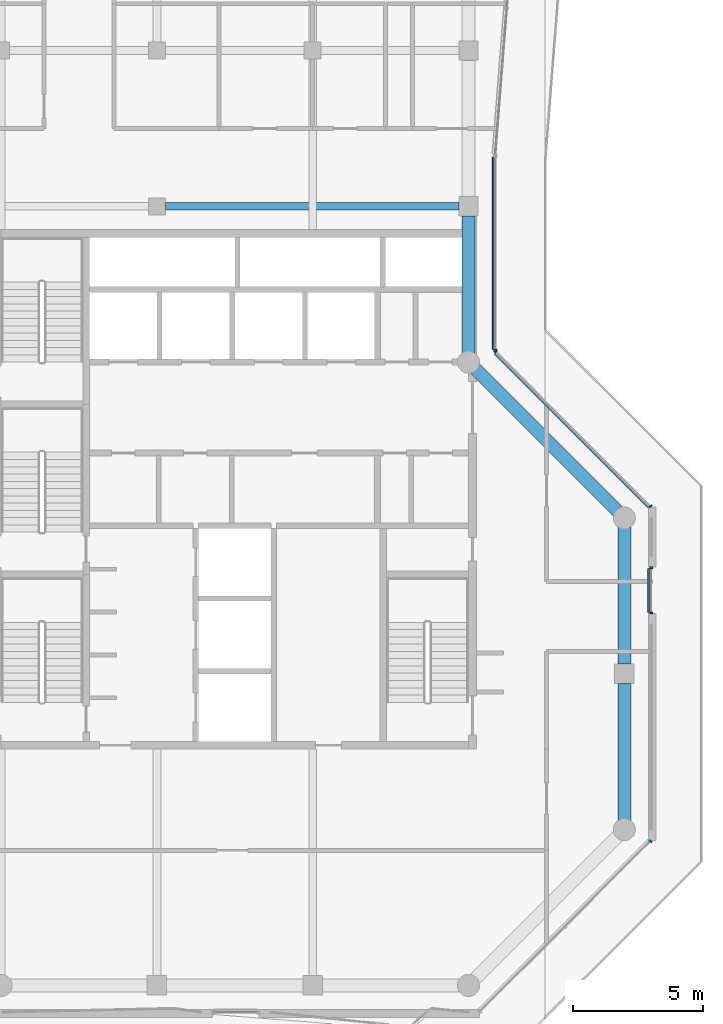
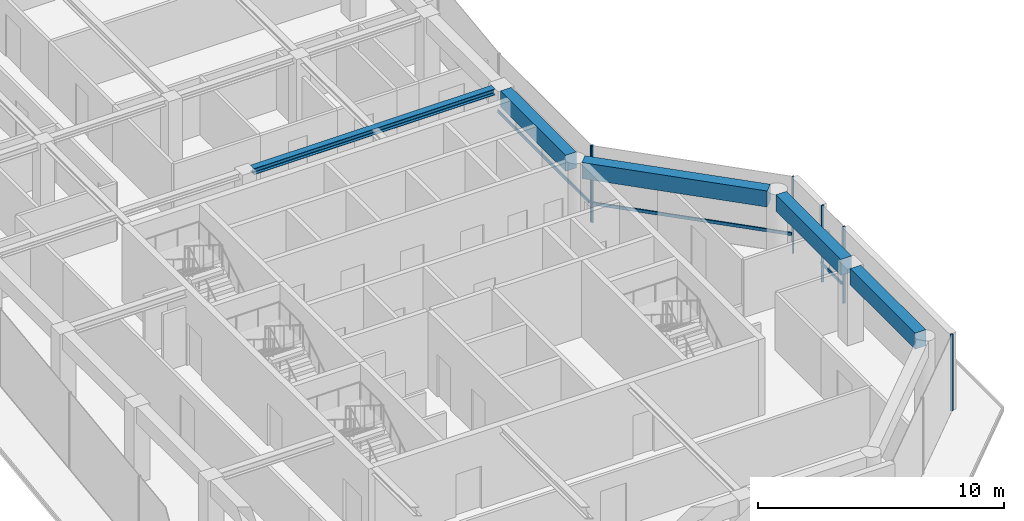
# One storey, part 5 of 22: 9 members, 5 beams, 4 elements without a shape of their own.
"""IFC4 building model written with IfcOpenShell, lengths in metres."""

from ifc_helpers import new_model, si_unit, direction, frame, origin, origin_2d, place, context, subcontext, project, spatial, rectangle, i_section, extrude, material, layer, layer_set, material_profile, profile_set, type_object, element, aggregate, save


model = new_model("IFC4")

# Units and contexts
model_context = context("Model", 3, precision=1e-05, world=origin(), true_north=direction((0.0, 1.0)))
body_context = subcontext(model_context, "Body", "Model", "MODEL_VIEW")
ifc_project = project(units=[si_unit("LENGTHUNIT", "METRE"), si_unit("AREAUNIT", "SQUARE_METRE"), si_unit("VOLUMEUNIT", "CUBIC_METRE"), si_unit("PLANEANGLEUNIT", "RADIAN"), si_unit("MASSUNIT", "GRAM", prefix="KILO")], contexts=[model_context])

# Site, building, storey
site_placement = place(None, origin())
site = spatial("IfcSite", under=ifc_project, at=site_placement, CompositionType="ELEMENT")
building_placement = place(site_placement, origin())
building = spatial("IfcBuilding", under=site, at=building_placement, Name="Welwitschia Terrace Campus", CompositionType="ELEMENT")
storey_placement = place(building_placement, frame((0.0, 0.0, 268.39990234375)))
storey = spatial("IfcBuildingStorey", under=building, at=storey_placement, Name="L59", CompositionType="ELEMENT", Elevation=268.39990234375)

# Beam
ifc_material_1 = material(Name="Steel S355", Category="steel")
ifc_material_profile_1 = material_profile(ifc_material_1, i_section(OverallWidth=0.300048828125, OverallDepth=0.300048828125, WebThickness=0.010986328125, FlangeThickness=0.01904296875, FilletRadius=0.027099609375, at=origin_2d()))
ifc_profile_set_1 = profile_set([ifc_material_profile_1], Name="Steel S355")
beam_type_1 = type_object("IfcBeamType", Name="Interior girder HE 300 B", PredefinedType="BEAM", material=ifc_profile_set_1)
beam_1_placement = place(storey_placement, frame((12.325439453125, 26.0, 3.650146484375), z_axis=(1.0, 0.0, 0.0), x_axis=(0.0, 1.0, 0.0)))
element("IfcBeam", 1, at=beam_1_placement, inside=storey, type_object=beam_type_1, Name="Girder GB6", PredefinedType="BEAM", context=body_context, shape_type="SweptSolid", body=[
    extrude(i_section(OverallWidth=0.300048828125, OverallDepth=0.300048828125, WebThickness=0.010986328125, FlangeThickness=0.01904296875, FilletRadius=0.027099609375, at=origin_2d()), origin(), (0.0, 0.0, 1.0), 11.30908203125),
])

# Curtain wall, member
ifc_material_2 = material(Name="Bronze anodised aluminium", Category="aluminium")
ifc_layer = layer(ifc_material_2, 0.1201171875)
ifc_layer_set = layer_set([ifc_layer], Name="Bronze anodised aluminium")
curtain_wall_type = type_object("IfcCurtainWallType", Name="Curtain wall CW2 tower 6000", PredefinedType="NOTDEFINED", material=ifc_layer_set)
curtain_wall_1_placement = place(storey_placement, origin())
curtain_wall_1 = element("IfcCurtainWall", 2, at=curtain_wall_1_placement, inside=storey, type_object=curtain_wall_type, Name="CW L59.4.0", PredefinedType="NOTDEFINED")
ifc_material_3 = material(Name="Bronze anodised aluminium", Category="aluminium")
ifc_material_profile_2 = material_profile(ifc_material_3, rectangle(XDim=0.1201171875, YDim=0.06005859375, at=origin_2d()))
ifc_profile_set_2 = profile_set([ifc_material_profile_2], Name="Bronze anodised aluminium")
member_type_1 = type_object("IfcMemberType", Name="Mullion 60x120", PredefinedType="MULLION", material=ifc_profile_set_2)
member_1_placement = place(storey_placement, frame((31.0087890625, 1.55224609375, 0.0), z_axis=(0.0, 0.0, 1.0), x_axis=(-0.707106781187, 0.707106781187, 0.0)))
member_1 = element("IfcMember", 3, at=member_1_placement, type_object=member_type_1, Name="Mullion L59.4.0.2", PredefinedType="MULLION", context=body_context, shape_type="SweptSolid", body=[
    extrude(rectangle(XDim=0.1201171875, YDim=0.06005859375, at=origin_2d()), origin(), (0.0, 0.0, 1.0), 3.800048828125),
])
aggregate(curtain_wall_1, [member_1])

# Curtain wall, members
curtain_wall_2_placement = place(storey_placement, origin())
curtain_wall_2 = element("IfcCurtainWall", 4, at=curtain_wall_2_placement, inside=storey, type_object=curtain_wall_type, Name="CW L59.5.S0", PredefinedType="NOTDEFINED")
member_2_placement = place(storey_placement, frame((31.030029296875, 10.34326171875, 0.0), z_axis=(0.0, 0.0, 1.0), x_axis=(-1.0, 0.0, 0.0)))
member_2 = element("IfcMember", 5, at=member_2_placement, type_object=member_type_1, Name="Mullion L59.5.S0.0", PredefinedType="MULLION", context=body_context, shape_type="SweptSolid", body=[
    extrude(rectangle(XDim=0.1201171875, YDim=0.06005859375, at=origin_2d()), origin(), (0.0, 0.0, 1.0), 3.800048828125),
])
member_3_placement = place(storey_placement, frame((31.030029296875, 12.083251953125, 0.0), z_axis=(0.0, 0.0, 1.0), x_axis=(-1.0, 0.0, 0.0)))
member_3 = element("IfcMember", 6, at=member_3_placement, type_object=member_type_1, Name="Mullion L59.5.S0.1", PredefinedType="MULLION", context=body_context, shape_type="SweptSolid", body=[
    extrude(rectangle(XDim=0.1201171875, YDim=0.06005859375, at=origin_2d()), origin(), (0.0, 0.0, 1.0), 3.800048828125),
])

curtain_wall_3_placement = place(storey_placement, origin())
curtain_wall_3 = element("IfcCurtainWall", 7, at=curtain_wall_3_placement, inside=storey, type_object=curtain_wall_type, Name="CW L59.6.0", PredefinedType="NOTDEFINED")
member_4_placement = place(storey_placement, frame((31.0087890625, 14.44775390625, 0.0), z_axis=(0.0, 0.0, 1.0), x_axis=(-0.707106781187, -0.707106781187, 0.0)))
member_4 = element("IfcMember", 8, at=member_4_placement, type_object=member_type_1, Name="Mullion L59.6.0.0", PredefinedType="MULLION", context=body_context, shape_type="SweptSolid", body=[
    extrude(rectangle(XDim=0.1201171875, YDim=0.06005859375, at=origin_2d()), origin(), (0.0, 0.0, 1.0), 3.800048828125),
])
member_5_placement = place(storey_placement, frame((25.05126953125, 20.405517578125, 0.0), z_axis=(0.0, 0.0, 1.0), x_axis=(-0.707106781187, -0.707106781187, 0.0)))
member_5 = element("IfcMember", 9, at=member_5_placement, type_object=member_type_1, Name="Mullion L59.6.0.1", PredefinedType="MULLION", context=body_context, shape_type="SweptSolid", body=[
    extrude(rectangle(XDim=0.1201171875, YDim=0.06005859375, at=origin_2d()), origin(), (0.0, 0.0, 1.0), 3.800048828125),
])

# Curtain wall, member
curtain_wall_4_placement = place(storey_placement, origin())
curtain_wall_4 = element("IfcCurtainWall", 10, at=curtain_wall_4_placement, inside=storey, type_object=curtain_wall_type, Name="CW L59.7.0", PredefinedType="NOTDEFINED")
member_6_placement = place(storey_placement, frame((25.030029296875, 20.45654296875, 0.0), z_axis=(0.0, 0.0, 1.0), x_axis=(-1.0, 0.0, 0.0)))
member_6 = element("IfcMember", 11, at=member_6_placement, type_object=member_type_1, Name="Mullion L59.7.0.0", PredefinedType="MULLION", context=body_context, shape_type="SweptSolid", body=[
    extrude(rectangle(XDim=0.1201171875, YDim=0.06005859375, at=origin_2d()), origin(), (0.0, 0.0, 1.0), 3.800048828125),
])

# Beams
ifc_material_4 = material(Name="Concrete C50/60", Category="concrete")
ifc_material_profile_3 = material_profile(ifc_material_4, rectangle(XDim=0.5, YDim=0.800048828125, at=origin_2d()))
ifc_profile_set_3 = profile_set([ifc_material_profile_3], Name="Concrete C50/60")
beam_type_2 = type_object("IfcBeamType", Name="Ring spandrel 500x800", PredefinedType="SPANDREL", material=ifc_profile_set_3)
for number, where, z_axis, x_axis, name in (
    (12, (30.0, 2.344482421875, 3.400146484375), (0.0, 1.0, 0.0), (-1.0, 0.0, 0.0), "Spandrel SP4"),
    (13, (30.0, 8.37548828125, 3.400146484375), (0.0, 1.0, 0.0), (-1.0, 0.0, 0.0), "Spandrel SP4"),
):
    element("IfcBeam", number, at=place(storey_placement, frame(where, z_axis=z_axis, x_axis=x_axis)), inside=storey, type_object=beam_type_2, Name=name, PredefinedType="SPANDREL", context=body_context, shape_type="SweptSolid", body=[
        extrude(rectangle(XDim=0.5, YDim=0.800048828125, at=origin_2d()), origin(), (0.0, 0.0, 1.0), 5.280029296875),
    ])
beam_2_placement = place(storey_placement, frame((29.75634765625, 14.24365234375, 3.400146484375), z_axis=(-0.707106781187, 0.707106781187, 0.0), x_axis=(-0.707106781187, -0.707106781187, 0.0)))
element("IfcBeam", 14, at=beam_2_placement, inside=storey, type_object=beam_type_2, Name="Spandrel SP4", PredefinedType="SPANDREL", context=body_context, shape_type="SweptSolid", body=[
    extrude(rectangle(XDim=0.5, YDim=0.800048828125, at=origin_2d()), origin(), (0.0, 0.0, 1.0), 7.796142578125),
])
beam_3_placement = place(storey_placement, frame((24.0, 20.344482421875, 3.400146484375), z_axis=(0.0, 1.0, 0.0), x_axis=(-1.0, 0.0, 0.0)))
element("IfcBeam", 15, at=beam_3_placement, inside=storey, type_object=beam_type_2, Name="Spandrel SP4", PredefinedType="SPANDREL", context=body_context, shape_type="SweptSolid", body=[
    extrude(rectangle(XDim=0.5, YDim=0.800048828125, at=origin_2d()), origin(), (0.0, 0.0, 1.0), 5.280029296875),
])

# Member
ifc_material_5 = material(Name="Bronze anodised aluminium", Category="aluminium")
ifc_material_profile_4 = material_profile(ifc_material_5, rectangle(XDim=0.06005859375, YDim=0.14990234375, at=origin_2d()))
ifc_profile_set_4 = profile_set([ifc_material_profile_4], Name="Bronze anodised aluminium")
member_type_2 = type_object("IfcMemberType", Name="Transom 60x150", PredefinedType="USERDEFINED", material=ifc_profile_set_4)
member_7_placement = place(storey_placement, frame((30.93994140625, 10.373291015625, 1.0), z_axis=(0.0, 1.0, 0.0), x_axis=(-1.0, 0.0, 0.0)))
member_7 = element("IfcMember", 16, at=member_7_placement, type_object=member_type_2, Name="Transom L59.5.S0", ObjectType="TRANSOM", PredefinedType="USERDEFINED", context=body_context, shape_type="SweptSolid", body=[
    extrude(rectangle(XDim=0.06005859375, YDim=0.14990234375, at=origin_2d()), origin(), (0.0, 0.0, 1.0), 1.679931640625),
])

aggregate(curtain_wall_2, [member_2, member_3, member_7])

member_8_placement = place(storey_placement, frame((30.923828125, 14.405517578125, 1.0), z_axis=(-0.707106781187, 0.707106781187, 0.0), x_axis=(-0.707106781187, -0.707106781187, 0.0)))
member_8 = element("IfcMember", 17, at=member_8_placement, type_object=member_type_2, Name="Transom L59.6.0", ObjectType="TRANSOM", PredefinedType="USERDEFINED", context=body_context, shape_type="SweptSolid", body=[
    extrude(rectangle(XDim=0.06005859375, YDim=0.14990234375, at=origin_2d()), origin(), (0.0, 0.0, 1.0), 8.365234375),
])

aggregate(curtain_wall_3, [member_4, member_5, member_8])

member_9_placement = place(storey_placement, frame((24.93994140625, 20.486572265625, 1.0), z_axis=(0.0, 1.0, 0.0), x_axis=(-1.0, 0.0, 0.0)))
member_9 = element("IfcMember", 18, at=member_9_placement, type_object=member_type_2, Name="Transom L59.7.0", ObjectType="TRANSOM", PredefinedType="USERDEFINED", context=body_context, shape_type="SweptSolid", body=[
    extrude(rectangle(XDim=0.06005859375, YDim=0.14990234375, at=origin_2d()), origin(), (0.0, 0.0, 1.0), 7.406982421875),
])

aggregate(curtain_wall_4, [member_6, member_9])

save(model, "model.ifc")
